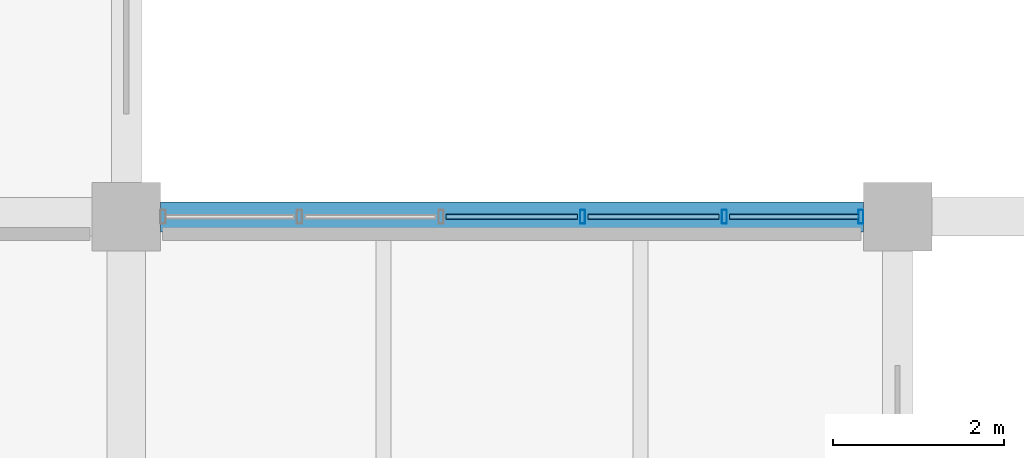
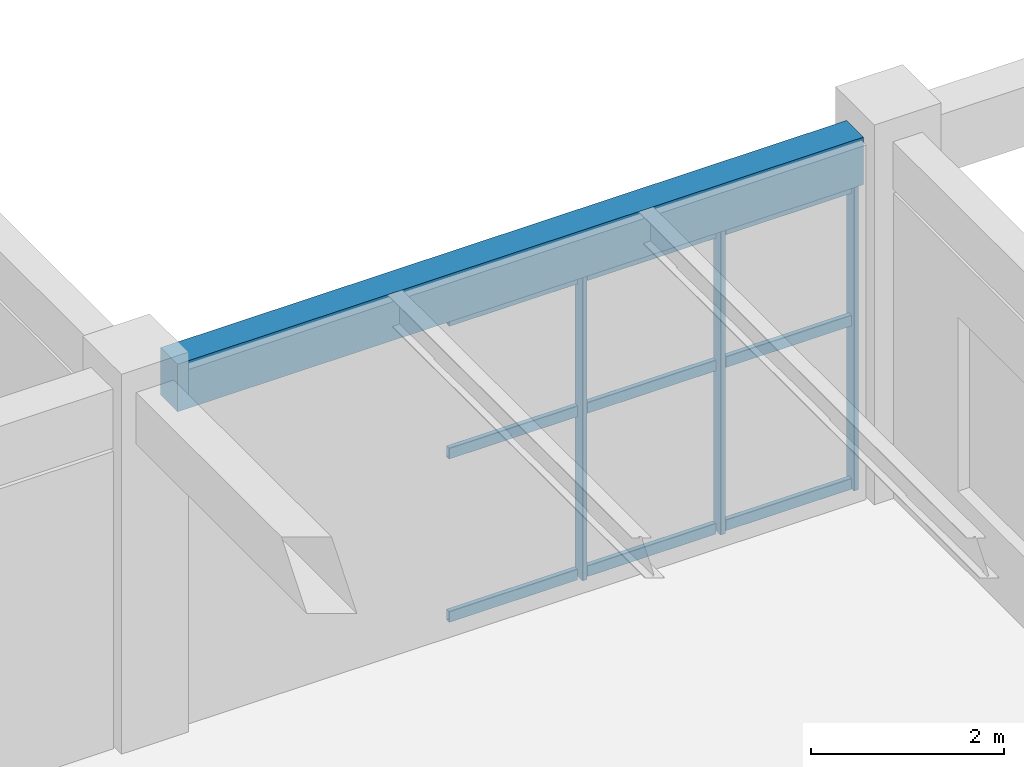
# One storey, part 94 of 178: 12 members, 1 beam, 1 element without a shape of its own.
"""IFC4 building model written with IfcOpenShell, lengths in metres."""

import ifcopenshell
import ifcopenshell.guid

model = None  # the IFC model being written
_history = None  # IfcOwnerHistory: only IFC2X3 demands one
_inside = {}  # id of a spatial element -> (the spatial element, [elements in it])
_under = {}  # id of a project, library or spatial element -> (it, [spatial elements below it])
_declared = {}  # id of a project -> (the project, [libraries it declares])
_typed = {}  # id of a type object -> (the type object, [elements of that type])
_made_of = {}  # id of a material, layer set ... -> (it, [elements and type objects made of it])


def new_model(schema):
    """Start an empty IFC model of exactly this schema.

    Asked for "IFC4X3", IfcOpenShell would pick the latest addendum, in which some entities
    have other attributes; the version numbers below select the first issue.
    IFC2X3 requires an IfcOwnerHistory on every rooted entity: one is made here for all.
    """
    global model, _history
    if schema == "IFC4X3":
        model = ifcopenshell.file(schema_version=(4, 3, 0, 0))
    else:
        model = ifcopenshell.file(schema=schema)
    _inside.clear()
    _under.clear()
    _declared.clear()
    _typed.clear()
    _made_of.clear()
    _history = None
    if model.schema == "IFC2X3":
        org = make("IfcOrganization", Name="unknown")
        user = make(
            "IfcPersonAndOrganization",
            ThePerson=make("IfcPerson", FamilyName="unknown"),
            TheOrganization=org,
        )
        app = make(
            "IfcApplication",
            ApplicationDeveloper=org,
            Version="unknown",
            ApplicationFullName="unknown",
            ApplicationIdentifier="unknown",
        )
        _history = make(
            "IfcOwnerHistory",
            OwningUser=user,
            OwningApplication=app,
            ChangeAction="ADDED",
            CreationDate=0,
        )
    return model


def make(cls, **values):
    """One entity of the class cls with the attributes given. An attribute that is None is left unset."""
    return model.create_entity(
        cls, **{name: value for name, value in values.items() if value is not None}
    )


def rooted(cls, **values):
    """An entity with a GlobalId (a new one), such as an element, a storey or a relation."""
    return make(cls, GlobalId=ifcopenshell.guid.new(), OwnerHistory=_history, **values)


def si_unit(unit_type, name, prefix=None):
    """IfcSIUnit, for example si_unit("LENGTHUNIT", "METRE", prefix="MILLI")."""
    return make("IfcSIUnit", UnitType=unit_type, Prefix=prefix, Name=name)


def derived_unit(unit_type, elements):
    """IfcDerivedUnit: a product of units, each with its exponent."""
    return make(
        "IfcDerivedUnit",
        Elements=[
            make("IfcDerivedUnitElement", Unit=unit, Exponent=power)
            for unit, power in elements
        ],
        UnitType=unit_type,
    )


def assignment(units):
    """IfcUnitAssignment: the units of a project."""
    return None if units is None else make("IfcUnitAssignment", Units=units)


def point(xyz):
    """IfcCartesianPoint."""
    return None if xyz is None else make("IfcCartesianPoint", Coordinates=xyz)


def direction(xyz):
    """IfcDirection."""
    return None if xyz is None else make("IfcDirection", DirectionRatios=xyz)


def frame(location, z_axis=None, x_axis=None):
    """IfcAxis2Placement3D, a coordinate frame: its origin and axes. An axis left out is left unset."""
    return make(
        "IfcAxis2Placement3D",
        Location=point(location),
        Axis=direction(z_axis),
        RefDirection=direction(x_axis),
    )


def frame_2d(location, x_axis=None):
    """IfcAxis2Placement2D, a coordinate frame in the plane: its origin and x axis."""
    return make(
        "IfcAxis2Placement2D", Location=point(location), RefDirection=direction(x_axis)
    )


def origin():
    """The frame at (0, 0, 0) with its axes left unset."""
    return frame((0.0, 0.0, 0.0))


def origin_2d():
    """The frame at (0, 0) in the plane with its x axis left unset."""
    return frame_2d((0.0, 0.0))


def place(relative_to, where):
    """IfcLocalPlacement: puts the frame where relative to a parent placement (None: the world)."""
    return make(
        "IfcLocalPlacement", PlacementRelTo=relative_to, RelativePlacement=where
    )


def context(
    kind, dimensions, precision=None, world=None, true_north=None, identifier=None
):
    """IfcGeometricRepresentationContext, for example the 3D "Model" context."""
    return make(
        "IfcGeometricRepresentationContext",
        ContextIdentifier=identifier,
        ContextType=kind,
        CoordinateSpaceDimension=dimensions,
        Precision=precision,
        WorldCoordinateSystem=world,
        TrueNorth=true_north,
    )


def subcontext(parent, identifier, kind, view, scale=None):
    """IfcGeometricRepresentationSubContext, for example "Body" below "Model"."""
    return make(
        "IfcGeometricRepresentationSubContext",
        ContextIdentifier=identifier,
        ContextType=kind,
        ParentContext=parent,
        TargetScale=scale,
        TargetView=view,
    )


def project(units=None, contexts=None):
    """IfcProject with its units and contexts."""
    return rooted(
        "IfcProject",
        Name="project",
        RepresentationContexts=contexts,
        UnitsInContext=assignment(units),
    )


def spatial(cls, under=None, at=None, **own):
    """A site, building, storey or space (cls), placed at a placement, below another one or the project."""
    s = rooted(cls, ObjectPlacement=at, **own)
    if under is not None:
        _under.setdefault(under.id(), (under, []))[1].append(s)
    return s


def profile(cls, at=None, kind="AREA", **sizes):
    """A parametric profile (cls). Its sizes go by their IFC names, for example OverallWidth=200.0."""
    return make(cls, ProfileType=kind, Position=at, **sizes)


def rectangle(**sizes):
    """IfcRectangleProfileDef."""
    return profile("IfcRectangleProfileDef", **sizes)


def hollow_rectangle(**sizes):
    """IfcRectangleHollowProfileDef."""
    return profile("IfcRectangleHollowProfileDef", **sizes)


def extrude(swept, where, along, depth):
    """IfcExtrudedAreaSolid: the profile swept, set in the frame where, extruded along a direction by depth."""
    return make(
        "IfcExtrudedAreaSolid",
        SweptArea=swept,
        Position=where,
        ExtrudedDirection=direction(along),
        Depth=depth,
    )


def shape(context_of_items, identifier, shape_type, items):
    """IfcShapeRepresentation: the items that make up one representation, for example the "Body"."""
    return make(
        "IfcShapeRepresentation",
        ContextOfItems=context_of_items,
        RepresentationIdentifier=identifier,
        RepresentationType=shape_type,
        Items=items,
    )


def material(Name=None, Category=None):
    """IfcMaterial."""
    return make("IfcMaterial", Name=Name, Category=Category)


def material_profile(
    of_material, cross_section, Name=None, Category=None, Priority=None
):
    """IfcMaterialProfile: a cross section and its material."""
    return make(
        "IfcMaterialProfile",
        Name=Name,
        Material=of_material,
        Profile=cross_section,
        Priority=Priority,
        Category=Category,
    )


def profile_set(profiles, Name=None, composite=None):
    """IfcMaterialProfileSet."""
    return make(
        "IfcMaterialProfileSet",
        Name=Name,
        MaterialProfiles=profiles,
        CompositeProfile=composite,
    )


def made_of(thing, what):
    """Note that an element or type object is made of a material, layer set ...; save() writes the relation."""
    if what is not None:
        _made_of.setdefault(what.id(), (what, []))[1].append(thing)
    return thing


def type_object(cls, material=None, **own):
    """A type object (cls), such as IfcWallType, which elements share."""
    return made_of(rooted(cls, **own), material)


def element(
    cls,
    number,
    at=None,
    inside=None,
    cuts=None,
    type_object=None,
    material=None,
    context=None,
    identifier="Body",
    shape_type=None,
    held_by="IfcProductDefinitionShape",
    body=None,
    shapes=None,
    **own,
):
    """One element of the class cls, such as IfcWall. Its Tag is "e" and its number.

    at: its placement. inside: the storey or other place that contains it. cuts: it is an
    opening in that element (IfcRelVoidsElement). A single representation is given by context,
    identifier, shape_type and body (its items); several are given by shapes. held_by: the class
    of the entity that holds the representations. save() writes the other relations.
    """
    e = rooted(cls, Tag="e%d" % number, ObjectPlacement=at, **own)
    if body is not None:
        shapes = [shape(context, identifier, shape_type, body)]
    if shapes is not None:
        e.Representation = make(held_by, Representations=shapes)
    if inside is not None:
        _inside.setdefault(inside.id(), (inside, []))[1].append(e)
    if cuts is not None:
        rooted(
            "IfcRelVoidsElement", RelatingBuildingElement=cuts, RelatedOpeningElement=e
        )
    if type_object is not None:
        _typed.setdefault(type_object.id(), (type_object, []))[1].append(e)
    return made_of(e, material)


def aggregate(whole, parts):
    """IfcRelAggregates: a whole, such as a stair, and the parts it consists of."""
    return rooted("IfcRelAggregates", RelatingObject=whole, RelatedObjects=parts)


def save(model, path):
    """Write the relations noted so far, then the file.

    IfcRelAggregates (storeys below a building ...), IfcRelContainedInSpatialStructure (elements
    in a storey), IfcRelDefinesByType, IfcRelAssociatesMaterial and IfcRelDeclares: one each for
    every whole, place, type object, material and project.
    """
    for whole, parts in _under.values():
        aggregate(whole, parts)
    for where, things in _inside.values():
        rooted(
            "IfcRelContainedInSpatialStructure",
            RelatedElements=things,
            RelatingStructure=where,
        )
    for kind, things in _typed.values():
        rooted("IfcRelDefinesByType", RelatedObjects=things, RelatingType=kind)
    for what, things in _made_of.values():
        rooted("IfcRelAssociatesMaterial", RelatedObjects=things, RelatingMaterial=what)
    for by, libraries in _declared.values():
        rooted("IfcRelDeclares", RelatingContext=by, RelatedDefinitions=libraries)
    model.write(path)


model = new_model("IFC4")

# Units and contexts
model_context = context("Model", 3, precision=1e-05, world=origin(), true_north=direction((0.0, 1.0)))
body_context = subcontext(model_context, "Body", "Model", "MODEL_VIEW")
ifc_project = project(units=[si_unit("LENGTHUNIT", "METRE"), si_unit("AREAUNIT", "SQUARE_METRE"), si_unit("VOLUMEUNIT", "CUBIC_METRE"), si_unit("PLANEANGLEUNIT", "RADIAN"), si_unit("MASSUNIT", "GRAM", prefix="KILO"), derived_unit("THERMALTRANSMITTANCEUNIT", [(si_unit("MASSUNIT", "GRAM", prefix="KILO"), 1), (si_unit("TIMEUNIT", "SECOND"), -3), (si_unit("THERMODYNAMICTEMPERATUREUNIT", "KELVIN"), -1)])], contexts=[model_context])

# Site, building, storey
site_placement = place(None, origin())
site = spatial("IfcSite", under=ifc_project, at=site_placement, CompositionType="ELEMENT")
building_placement = place(site_placement, origin())
building = spatial("IfcBuilding", under=site, at=building_placement, Name="Zhenchuan Archway Interchange", CompositionType="ELEMENT")
storey_placement = place(building_placement, frame((0.0, 0.0, 5.39990234375)))
storey = spatial("IfcBuildingStorey", under=building, at=storey_placement, Name="L01", CompositionType="ELEMENT", Elevation=5.39990234375)

# Curtain wall, members
ifc_material_1 = material(Name="Anodised Aluminium", Category="aluminium")
curtain_wall_type = type_object("IfcCurtainWallType", Name="CW_UNIT_4", PredefinedType="NOTDEFINED", material=ifc_material_1)
curtain_wall_placement = place(storey_placement, origin())
curtain_wall = element("IfcCurtainWall", 1, at=curtain_wall_placement, inside=storey, type_object=curtain_wall_type, Name="Unitised curtain wall CW:L01:051", PredefinedType="NOTDEFINED")
ifc_material_profile_1 = material_profile(ifc_material_1, hollow_rectangle(XDim=0.06005859375, YDim=0.159912109375, WallThickness=0.00390625, InnerFilletRadius=0.00390625, OuterFilletRadius=0.008056640625, at=origin_2d()), Name="ALU 160x60x4")
ifc_profile_set_1 = profile_set([ifc_material_profile_1], Name="Anodised Aluminium")
member_type_1 = type_object("IfcMemberType", Name="CW_MUL_150", PredefinedType="MULLION", material=ifc_profile_set_1)
member_1_placement = place(storey_placement, frame((59.326416015625, 96.0, 0.0), z_axis=(0.0, 0.0, 1.0), x_axis=(1.0, 0.0, 0.0)))
member_1 = element("IfcMember", 2, at=member_1_placement, type_object=member_type_1, Name="CW:L01:051 mullion 3", PredefinedType="MULLION", context=body_context, shape_type="SweptSolid", body=[
    extrude(hollow_rectangle(XDim=0.06005859375, YDim=0.159912109375, WallThickness=0.00390625, InnerFilletRadius=0.00390625, OuterFilletRadius=0.008056640625, at=origin_2d()), origin(), (0.0, 0.0, 1.0), 3.880126953125),
])
member_2_placement = place(storey_placement, frame((60.979248046875, 96.0, 0.0), z_axis=(0.0, 0.0, 1.0), x_axis=(1.0, 0.0, 0.0)))
member_2 = element("IfcMember", 3, at=member_2_placement, type_object=member_type_1, Name="CW:L01:051 mullion 4", PredefinedType="MULLION", context=body_context, shape_type="SweptSolid", body=[
    extrude(hollow_rectangle(XDim=0.06005859375, YDim=0.159912109375, WallThickness=0.00390625, InnerFilletRadius=0.00390625, OuterFilletRadius=0.008056640625, at=origin_2d()), origin(), (0.0, 0.0, 1.0), 3.880126953125),
])
member_3_placement = place(storey_placement, frame((62.572021484375, 96.0, 0.0), z_axis=(0.0, 0.0, 1.0), x_axis=(1.0, 0.0, 0.0)))
member_3 = element("IfcMember", 4, at=member_3_placement, type_object=member_type_1, Name="CW:L01:051 mullion 5", PredefinedType="MULLION", context=body_context, shape_type="SweptSolid", body=[
    extrude(hollow_rectangle(XDim=0.06005859375, YDim=0.159912109375, WallThickness=0.00390625, InnerFilletRadius=0.00390625, OuterFilletRadius=0.008056640625, at=origin_2d()), origin(), (0.0, 0.0, 1.0), 3.880126953125),
])
ifc_material_profile_2 = material_profile(ifc_material_1, hollow_rectangle(XDim=0.06005859375, YDim=0.139892578125, WallThickness=0.00341796875, InnerFilletRadius=0.00341796875, OuterFilletRadius=0.007080078125, at=origin_2d()), Name="ALU 140x60x3.5")
ifc_profile_set_2 = profile_set([ifc_material_profile_2], Name="Anodised Aluminium")
member_type_2 = type_object("IfcMemberType", Name="CW_TRN_140", PredefinedType="USERDEFINED", material=ifc_profile_set_2)
member_4_placement = place(storey_placement, frame((57.733642578125, 96.0, 0.06005859375), z_axis=(1.0, 0.0, 0.0), x_axis=(0.0, 1.0, 0.0)))
member_4 = element("IfcMember", 5, at=member_4_placement, type_object=member_type_2, Name="CW:L01:051 transom 2-1", ObjectType="TRANSOM", PredefinedType="USERDEFINED", context=body_context, shape_type="SweptSolid", body=[
    extrude(hollow_rectangle(XDim=0.06005859375, YDim=0.139892578125, WallThickness=0.00341796875, InnerFilletRadius=0.00341796875, OuterFilletRadius=0.007080078125, at=origin_2d()), origin(), (0.0, 0.0, 1.0), 1.53271484375),
])
member_5_placement = place(storey_placement, frame((57.733642578125, 96.0, 2.123046875), z_axis=(1.0, 0.0, 0.0), x_axis=(0.0, 1.0, 0.0)))
member_5 = element("IfcMember", 6, at=member_5_placement, type_object=member_type_2, Name="CW:L01:051 transom 2-2", ObjectType="TRANSOM", PredefinedType="USERDEFINED", context=body_context, shape_type="SweptSolid", body=[
    extrude(hollow_rectangle(XDim=0.06005859375, YDim=0.139892578125, WallThickness=0.00341796875, InnerFilletRadius=0.00341796875, OuterFilletRadius=0.007080078125, at=origin_2d()), origin(), (0.0, 0.0, 1.0), 1.53271484375),
])
member_6_placement = place(storey_placement, frame((57.733642578125, 96.0, 3.800048828125), z_axis=(1.0, 0.0, 0.0), x_axis=(0.0, 1.0, 0.0)))
member_6 = element("IfcMember", 7, at=member_6_placement, type_object=member_type_2, Name="CW:L01:051 transom 2-3", ObjectType="TRANSOM", PredefinedType="USERDEFINED", context=body_context, shape_type="SweptSolid", body=[
    extrude(hollow_rectangle(XDim=0.06005859375, YDim=0.139892578125, WallThickness=0.00341796875, InnerFilletRadius=0.00341796875, OuterFilletRadius=0.007080078125, at=origin_2d()), origin(), (0.0, 0.0, 1.0), 1.53271484375),
])
member_7_placement = place(storey_placement, frame((59.386474609375, 96.0, 0.06005859375), z_axis=(1.0, 0.0, 0.0), x_axis=(0.0, 1.0, 0.0)))
member_7 = element("IfcMember", 8, at=member_7_placement, type_object=member_type_2, Name="CW:L01:051 transom 3-1", ObjectType="TRANSOM", PredefinedType="USERDEFINED", context=body_context, shape_type="SweptSolid", body=[
    extrude(hollow_rectangle(XDim=0.06005859375, YDim=0.139892578125, WallThickness=0.00341796875, InnerFilletRadius=0.00341796875, OuterFilletRadius=0.007080078125, at=origin_2d()), origin(), (0.0, 0.0, 1.0), 1.53271484375),
])
member_8_placement = place(storey_placement, frame((59.386474609375, 96.0, 2.123046875), z_axis=(1.0, 0.0, 0.0), x_axis=(0.0, 1.0, 0.0)))
member_8 = element("IfcMember", 9, at=member_8_placement, type_object=member_type_2, Name="CW:L01:051 transom 3-2", ObjectType="TRANSOM", PredefinedType="USERDEFINED", context=body_context, shape_type="SweptSolid", body=[
    extrude(hollow_rectangle(XDim=0.06005859375, YDim=0.139892578125, WallThickness=0.00341796875, InnerFilletRadius=0.00341796875, OuterFilletRadius=0.007080078125, at=origin_2d()), origin(), (0.0, 0.0, 1.0), 1.53271484375),
])
member_9_placement = place(storey_placement, frame((59.386474609375, 96.0, 3.800048828125), z_axis=(1.0, 0.0, 0.0), x_axis=(0.0, 1.0, 0.0)))
member_9 = element("IfcMember", 10, at=member_9_placement, type_object=member_type_2, Name="CW:L01:051 transom 3-3", ObjectType="TRANSOM", PredefinedType="USERDEFINED", context=body_context, shape_type="SweptSolid", body=[
    extrude(hollow_rectangle(XDim=0.06005859375, YDim=0.139892578125, WallThickness=0.00341796875, InnerFilletRadius=0.00341796875, OuterFilletRadius=0.007080078125, at=origin_2d()), origin(), (0.0, 0.0, 1.0), 1.53271484375),
])
member_10_placement = place(storey_placement, frame((61.039306640625, 96.0, 0.06005859375), z_axis=(1.0, 0.0, 0.0), x_axis=(0.0, 1.0, 0.0)))
member_10 = element("IfcMember", 11, at=member_10_placement, type_object=member_type_2, Name="CW:L01:051 transom 4-1", ObjectType="TRANSOM", PredefinedType="USERDEFINED", context=body_context, shape_type="SweptSolid", body=[
    extrude(hollow_rectangle(XDim=0.06005859375, YDim=0.139892578125, WallThickness=0.00341796875, InnerFilletRadius=0.00341796875, OuterFilletRadius=0.007080078125, at=origin_2d()), origin(), (0.0, 0.0, 1.0), 1.5126953125),
])
member_11_placement = place(storey_placement, frame((61.039306640625, 96.0, 2.123046875), z_axis=(1.0, 0.0, 0.0), x_axis=(0.0, 1.0, 0.0)))
member_11 = element("IfcMember", 12, at=member_11_placement, type_object=member_type_2, Name="CW:L01:051 transom 4-2", ObjectType="TRANSOM", PredefinedType="USERDEFINED", context=body_context, shape_type="SweptSolid", body=[
    extrude(hollow_rectangle(XDim=0.06005859375, YDim=0.139892578125, WallThickness=0.00341796875, InnerFilletRadius=0.00341796875, OuterFilletRadius=0.007080078125, at=origin_2d()), origin(), (0.0, 0.0, 1.0), 1.5126953125),
])
member_12_placement = place(storey_placement, frame((61.039306640625, 96.0, 3.800048828125), z_axis=(1.0, 0.0, 0.0), x_axis=(0.0, 1.0, 0.0)))
member_12 = element("IfcMember", 13, at=member_12_placement, type_object=member_type_2, Name="CW:L01:051 transom 4-3", ObjectType="TRANSOM", PredefinedType="USERDEFINED", context=body_context, shape_type="SweptSolid", body=[
    extrude(hollow_rectangle(XDim=0.06005859375, YDim=0.139892578125, WallThickness=0.00341796875, InnerFilletRadius=0.00341796875, OuterFilletRadius=0.007080078125, at=origin_2d()), origin(), (0.0, 0.0, 1.0), 1.5126953125),
])
aggregate(curtain_wall, [member_1, member_2, member_3, member_4, member_5, member_6, member_7, member_8, member_9, member_10, member_11, member_12])

# Beam
ifc_material_2 = material(Name="Concrete C40", Category="concrete")
ifc_material_profile_3 = material_profile(ifc_material_2, rectangle(XDim=0.35009765625, YDim=0.60009765625, at=origin_2d()), Name="RC 350x600")
ifc_profile_set_3 = profile_set([ifc_material_profile_3], Name="Concrete C40")
beam_type = type_object("IfcBeamType", Name="SP_RC_350x600", PredefinedType="SPANDREL", material=ifc_profile_set_3)
beam_placement = place(storey_placement, frame((54.39990234375, 96.0, 4.210205078125), z_axis=(1.0, 0.0, 0.0), x_axis=(0.0, 1.0, 0.0)))
element("IfcBeam", 14, at=beam_placement, inside=storey, type_object=beam_type, Name="Beam N:7-8 (L01)", PredefinedType="SPANDREL", context=body_context, shape_type="SweptSolid", body=[
    extrude(rectangle(XDim=0.35009765625, YDim=0.60009765625, at=origin_2d()), origin(), (0.0, 0.0, 1.0), 8.2001953125),
])

save(model, "model.ifc")
